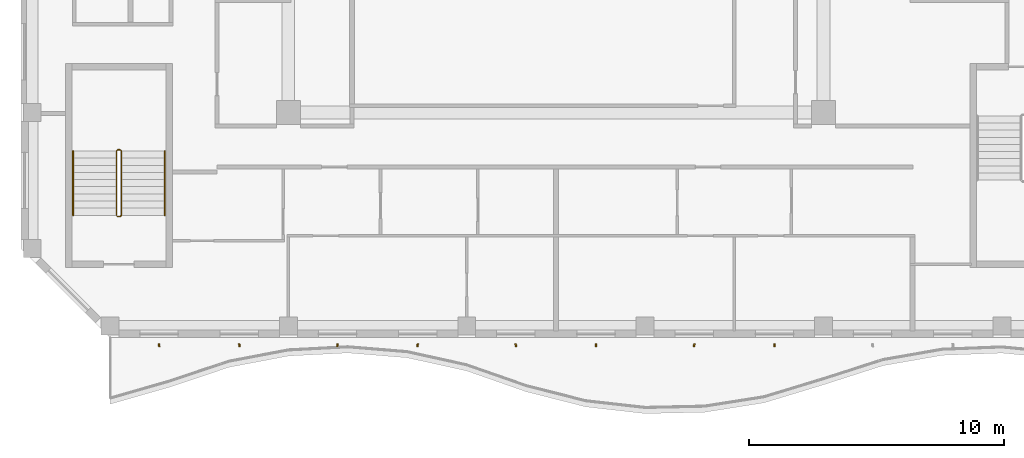
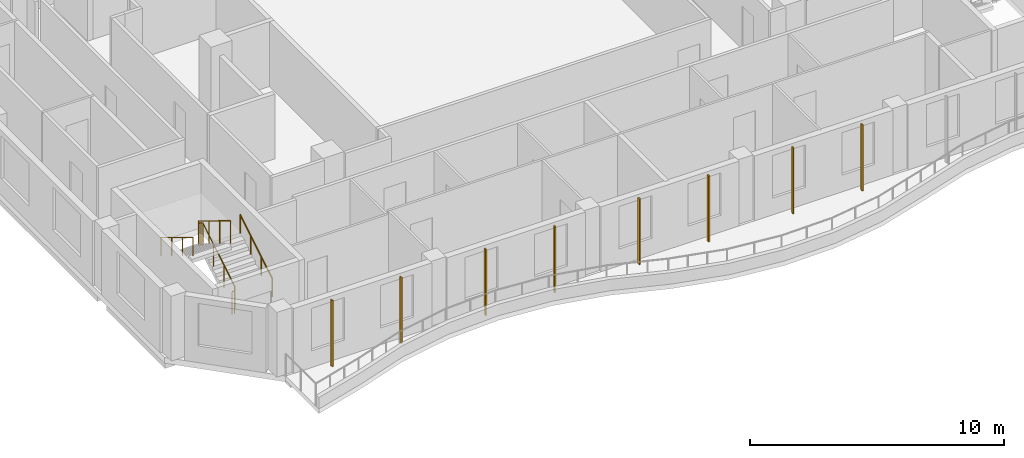
# One storey, part 12 of 18: 8 shading devices, 3 railings.
"""IFC4 building model written with IfcOpenShell, lengths in metres."""

from ifc_helpers import new_model, si_unit, direction, frame, origin, origin_2d, place, context, subcontext, project, spatial, rectangle, circle, extrude, source, transform, mapped, material, material_profile, profile_set, type_object, element, save


model = new_model("IFC4")

# Units and contexts
model_context = context("Model", 3, precision=1e-05, world=origin(), true_north=direction((0.0, 1.0)))
body_context = subcontext(model_context, "Body", "Model", "MODEL_VIEW")
ifc_project = project(units=[si_unit("LENGTHUNIT", "METRE"), si_unit("AREAUNIT", "SQUARE_METRE"), si_unit("VOLUMEUNIT", "CUBIC_METRE"), si_unit("PLANEANGLEUNIT", "RADIAN"), si_unit("MASSUNIT", "GRAM", prefix="KILO")], contexts=[model_context])

# Site, building, storey
site_placement = place(None, origin())
site = spatial("IfcSite", under=ifc_project, at=site_placement, CompositionType="ELEMENT")
building_placement = place(site_placement, origin())
building = spatial("IfcBuilding", under=site, at=building_placement, Name="Kilnfold Tower and Market Hall", CompositionType="ELEMENT")
storey_placement = place(building_placement, frame((0.0, 0.0, 256.0)))
storey = spatial("IfcBuildingStorey", under=building, at=storey_placement, Name="L62", CompositionType="ELEMENT", Elevation=256.0)

# Railings
ifc_material_1 = material(Name="Stainless steel 316", Category="steel")
railing_type_1 = type_object("IfcRailingType", Name="CORE STAIR GUARD 1100", PredefinedType="GUARDRAIL", material=ifc_material_1)
railing_1_placement = place(storey_placement, frame((-15.699951171875, -13.75, 0.0)))
element("IfcRailing", 1, at=railing_1_placement, inside=storey, type_object=railing_type_1, Name="L62 ST3 stair guard 1", PredefinedType="GUARDRAIL", context=body_context, shape_type="SweptSolid", body=[
    extrude(circle(Radius=0.02392578125, at=origin_2d()), frame((0.0, 0.0, 1.076171875), z_axis=(1.0, 0.0, 0.0), x_axis=(0.0, 1.0, 0.0)), (0.0, 0.0, 1.0), 0.099853515625),
    extrude(circle(Radius=0.02392578125, at=origin_2d()), frame((0.099853515625, 0.0, 1.076171875), z_axis=(0.271895245746, 0.271895245746, 0.923117517265), x_axis=(-0.707106781187, 0.707106781187, 0.0)), (0.0, 0.0, 1.0), 0.18408203125),
    extrude(circle(Radius=0.02392578125, at=origin_2d()), frame((0.14990234375, 0.050048828125, 1.24609375), z_axis=(0.0, 0.85478489116, 0.518982456201), x_axis=(-1.0, 0.0, 0.0)), (0.0, 0.0, 1.0), 2.9482421875),
    extrude(circle(Radius=0.02392578125, at=origin_2d()), frame((0.14990234375, 2.570068359375, 2.77587890625), z_axis=(-0.707106781187, 0.707106781187, 0.0), x_axis=(-0.707106781187, -0.707106781187, 0.0)), (0.0, 0.0, 1.0), 0.07080078125),
    extrude(circle(Radius=0.02392578125, at=origin_2d()), frame((0.099853515625, 2.6201171875, 2.77587890625), z_axis=(-1.0, 0.0, 0.0), x_axis=(0.0, -1.0, 0.0)), (0.0, 0.0, 1.0), 0.099853515625),
    extrude(circle(Radius=0.02392578125, at=origin_2d()), frame((0.0, 2.6201171875, 2.77587890625), z_axis=(-0.271562723297, -0.271562723297, 0.923313259209), x_axis=(0.707106781187, -0.707106781187, 0.0)), (0.0, 0.0, 1.0), 0.184326171875),
    extrude(circle(Radius=0.02392578125, at=origin_2d()), frame((-0.050048828125, 2.570068359375, 2.9462890625), z_axis=(0.0, -0.854821627497, 0.518921945155), x_axis=(1.0, 0.0, 0.0)), (0.0, 0.0, 1.0), 2.947998046875),
    extrude(circle(Radius=0.02099609375, at=origin_2d()), origin(), (0.0, 0.0, 1.0), 1.052001953125),
    extrude(circle(Radius=0.02099609375, at=origin_2d()), frame((0.099853515625, 0.0, 0.0)), (0.0, 0.0, 1.0), 1.052001953125),
    extrude(circle(Radius=0.02099609375, at=origin_2d()), frame((0.14990234375, 0.050048828125, 0.169921875)), (0.0, 0.0, 1.0), 1.052001953125),
    extrude(circle(Radius=0.02099609375, at=origin_2d()), frame((0.14990234375, 0.89013671875, 0.679931640625)), (0.0, 0.0, 1.0), 1.052001953125),
    extrude(circle(Radius=0.02099609375, at=origin_2d()), frame((0.14990234375, 1.72998046875, 1.18994140625)), (0.0, 0.0, 1.0), 1.052001953125),
    extrude(circle(Radius=0.02099609375, at=origin_2d()), frame((0.14990234375, 2.570068359375, 1.699951171875)), (0.0, 0.0, 1.0), 1.052001953125),
    extrude(circle(Radius=0.02099609375, at=origin_2d()), frame((0.099853515625, 2.6201171875, 1.699951171875)), (0.0, 0.0, 1.0), 1.052001953125),
    extrude(circle(Radius=0.02099609375, at=origin_2d()), frame((0.0, 2.6201171875, 1.699951171875)), (0.0, 0.0, 1.0), 1.052001953125),
    extrude(circle(Radius=0.02099609375, at=origin_2d()), frame((-0.050048828125, 2.570068359375, 1.8701171875)), (0.0, 0.0, 1.0), 1.052001953125),
    extrude(circle(Radius=0.02099609375, at=origin_2d()), frame((-0.050048828125, 1.72998046875, 2.380126953125)), (0.0, 0.0, 1.0), 1.052001953125),
    extrude(circle(Radius=0.02099609375, at=origin_2d()), frame((-0.050048828125, 0.89013671875, 2.889892578125)), (0.0, 0.0, 1.0), 1.052001953125),
    extrude(circle(Radius=0.02099609375, at=origin_2d()), frame((-0.050048828125, 0.050048828125, 3.39990234375)), (0.0, 0.0, 1.0), 1.052001953125),
])
ifc_material_2 = material(Name="Stainless steel 316", Category="steel")
railing_type_2 = type_object("IfcRailingType", Name="CORE STAIR HANDRAIL 900", PredefinedType="HANDRAIL", material=ifc_material_2)
railing_2_placement = place(storey_placement, frame((-13.85009765625, -13.699951171875, 0.169921875)))
element("IfcRailing", 2, at=railing_2_placement, inside=storey, type_object=railing_type_2, Name="L62 ST3 stair handrail 1", PredefinedType="HANDRAIL", context=body_context, shape_type="SweptSolid", body=[
    extrude(circle(Radius=0.02392578125, at=origin_2d()), frame((0.0, 0.0, 0.8759765625), z_axis=(0.0, 0.85478489116, 0.518982456201), x_axis=(-1.0, 0.0, 0.0)), (0.0, 0.0, 1.0), 2.9482421875),
    extrude(circle(Radius=0.02099609375, at=origin_2d()), origin(), (0.0, 0.0, 1.0), 0.851806640625),
    extrude(circle(Radius=0.02099609375, at=origin_2d()), frame((0.0, 0.840087890625, 0.510009765625)), (0.0, 0.0, 1.0), 0.851806640625),
    extrude(circle(Radius=0.02099609375, at=origin_2d()), frame((0.0, 1.679931640625, 1.02001953125)), (0.0, 0.0, 1.0), 0.851806640625),
    extrude(circle(Radius=0.02099609375, at=origin_2d()), frame((0.0, 2.52001953125, 1.530029296875)), (0.0, 0.0, 1.0), 0.851806640625),
])
railing_3_placement = place(storey_placement, frame((-17.449951171875, -11.179931640625, 1.8701171875)))
element("IfcRailing", 3, at=railing_3_placement, inside=storey, type_object=railing_type_2, Name="L62 ST3 stair handrail 2", PredefinedType="HANDRAIL", context=body_context, shape_type="SweptSolid", body=[
    extrude(circle(Radius=0.02392578125, at=origin_2d()), frame((0.0, 0.0, 0.8759765625), z_axis=(0.0, -0.854821627497, 0.518921945155), x_axis=(1.0, 0.0, 0.0)), (0.0, 0.0, 1.0), 2.947998046875),
    extrude(circle(Radius=0.02099609375, at=origin_2d()), origin(), (0.0, 0.0, 1.0), 0.851806640625),
    extrude(circle(Radius=0.02099609375, at=origin_2d()), frame((0.0, -0.840087890625, 0.510009765625)), (0.0, 0.0, 1.0), 0.851806640625),
    extrude(circle(Radius=0.02099609375, at=origin_2d()), frame((0.0, -1.679931640625, 1.019775390625)), (0.0, 0.0, 1.0), 0.851806640625),
    extrude(circle(Radius=0.02099609375, at=origin_2d()), frame((0.0, -2.52001953125, 1.52978515625)), (0.0, 0.0, 1.0), 0.851806640625),
])

# Shading devices
ifc_material_3 = material(Name="Terracotta", Category="masonry")
ifc_material_profile = material_profile(ifc_material_3, rectangle(XDim=0.06005859375, YDim=0.1201171875, at=origin_2d()), Name="BAG 60x120")
ifc_profile_set = profile_set([ifc_material_profile], Name="Terracotta")
shading_device_type = type_object("IfcShadingDeviceType", Name="BAGUETTE", PredefinedType="USERDEFINED", material=ifc_profile_set)
shared_shape = source(origin(), body_context, "Body", "SweptSolid", [
    extrude(rectangle(XDim=0.06005859375, YDim=0.1201171875, at=origin_2d()), origin(), (0.0, 0.0, 1.0), 3.179931640625),
])
for number, where, z_axis, x_axis, name in (
    (4, (-14.074951171875, -18.800048828125, 0.0), (0.0, 0.0, 1.0), (0.990883775975, 0.134719495658, 0.0), "Terracotta baguette L62 S"),
    (5, (-10.925048828125, -18.800048828125, 0.0), (0.0, 0.0, 1.0), (0.998440569322, 0.055824990209, 0.0), "Terracotta baguette L62 S"),
    (6, (-7.074951171875, -18.800048828125, 0.0), (0.0, 0.0, 1.0), (0.990883775975, -0.134719495658, 0.0), "Terracotta baguette L62 S"),
    (7, (-3.925048828125, -18.800048828125, 0.0), (0.0, 0.0, 1.0), (0.998440569322, -0.055824990209, 0.0), "Terracotta baguette L62 S"),
    (8, (-0.074951171875, -18.800048828125, 0.0), (0.0, 0.0, 1.0), (0.990883775975, 0.134719495658, 0.0), "Terracotta baguette L62 S"),
    (9, (3.074951171875, -18.800048828125, 0.0), (0.0, 0.0, 1.0), (0.998440569322, 0.055824990209, 0.0), "Terracotta baguette L62 S"),
    (10, (6.925048828125, -18.800048828125, 0.0), (0.0, 0.0, 1.0), (0.990883775975, -0.134719495658, 0.0), "Terracotta baguette L62 S"),
    (11, (10.074951171875, -18.800048828125, 0.0), (0.0, 0.0, 1.0), (0.998440569322, -0.055824990209, 0.0), "Terracotta baguette L62 S"),
):
    element("IfcShadingDevice", number, at=place(storey_placement, frame(where, z_axis=z_axis, x_axis=x_axis)), inside=storey, type_object=shading_device_type, Name=name, ObjectType="BAGUETTE", PredefinedType="USERDEFINED", context=body_context, shape_type="MappedRepresentation", body=[
        mapped(shared_shape, transform((0.0, 0.0, 0.0))),
    ])

save(model, "model.ifc")
